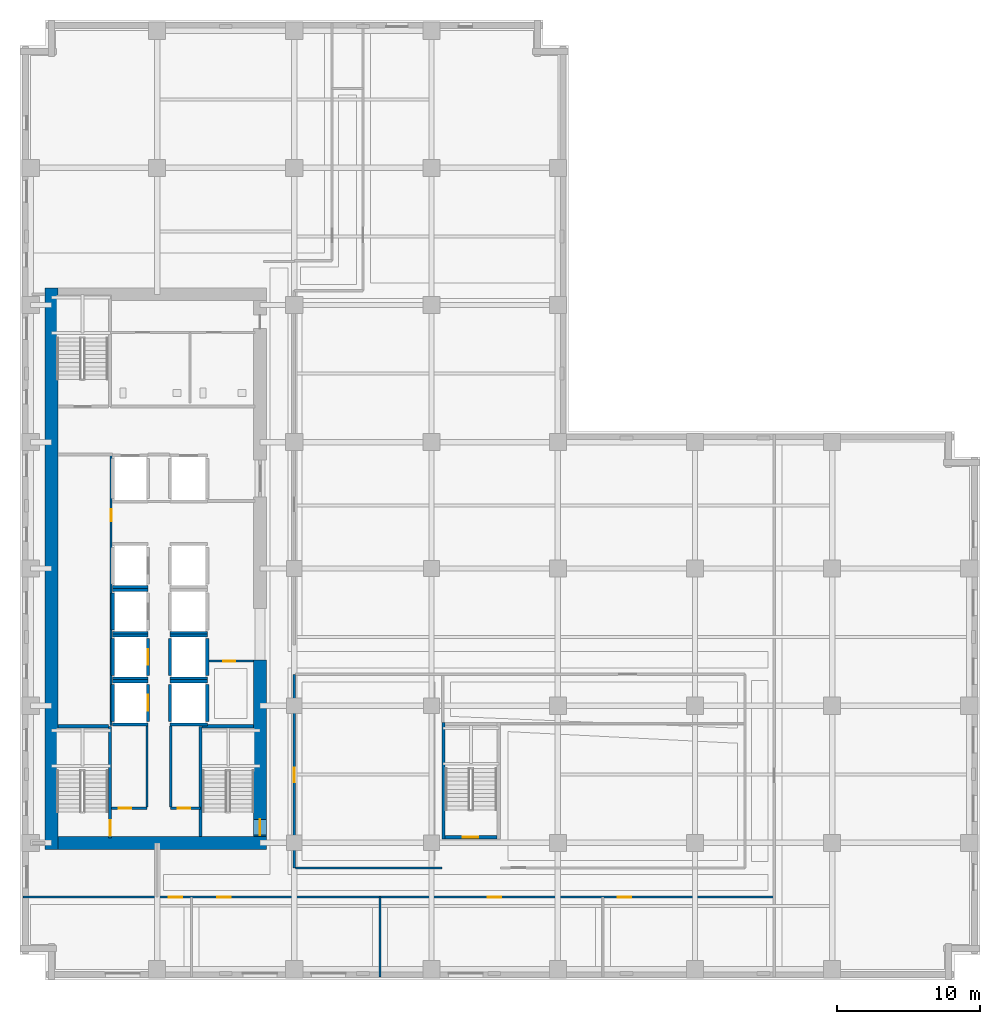
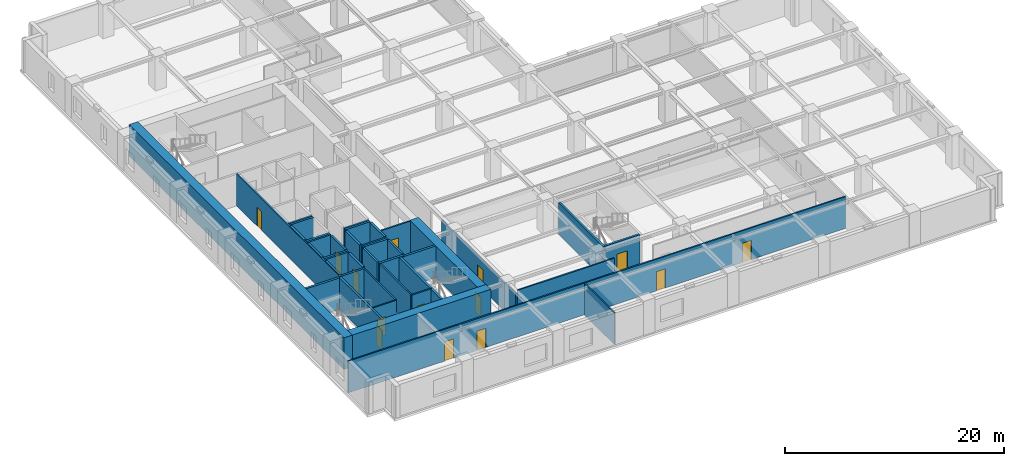
# One storey, part 4 of 13: 40 walls, 14 doors, 14 openings.
"""IFC4 building model written with IfcOpenShell, lengths in metres."""

import ifcopenshell
import ifcopenshell.guid

model = None  # the IFC model being written
_history = None  # IfcOwnerHistory: only IFC2X3 demands one
_inside = {}  # id of a spatial element -> (the spatial element, [elements in it])
_under = {}  # id of a project, library or spatial element -> (it, [spatial elements below it])
_declared = {}  # id of a project -> (the project, [libraries it declares])
_typed = {}  # id of a type object -> (the type object, [elements of that type])
_made_of = {}  # id of a material, layer set ... -> (it, [elements and type objects made of it])


def new_model(schema):
    """Start an empty IFC model of exactly this schema.

    Asked for "IFC4X3", IfcOpenShell would pick the latest addendum, in which some entities
    have other attributes; the version numbers below select the first issue.
    IFC2X3 requires an IfcOwnerHistory on every rooted entity: one is made here for all.
    """
    global model, _history
    if schema == "IFC4X3":
        model = ifcopenshell.file(schema_version=(4, 3, 0, 0))
    else:
        model = ifcopenshell.file(schema=schema)
    _inside.clear()
    _under.clear()
    _declared.clear()
    _typed.clear()
    _made_of.clear()
    _history = None
    if model.schema == "IFC2X3":
        org = make("IfcOrganization", Name="unknown")
        user = make(
            "IfcPersonAndOrganization",
            ThePerson=make("IfcPerson", FamilyName="unknown"),
            TheOrganization=org,
        )
        app = make(
            "IfcApplication",
            ApplicationDeveloper=org,
            Version="unknown",
            ApplicationFullName="unknown",
            ApplicationIdentifier="unknown",
        )
        _history = make(
            "IfcOwnerHistory",
            OwningUser=user,
            OwningApplication=app,
            ChangeAction="ADDED",
            CreationDate=0,
        )
    return model


def make(cls, **values):
    """One entity of the class cls with the attributes given. An attribute that is None is left unset."""
    return model.create_entity(
        cls, **{name: value for name, value in values.items() if value is not None}
    )


def rooted(cls, **values):
    """An entity with a GlobalId (a new one), such as an element, a storey or a relation."""
    return make(cls, GlobalId=ifcopenshell.guid.new(), OwnerHistory=_history, **values)


def si_unit(unit_type, name, prefix=None):
    """IfcSIUnit, for example si_unit("LENGTHUNIT", "METRE", prefix="MILLI")."""
    return make("IfcSIUnit", UnitType=unit_type, Prefix=prefix, Name=name)


def assignment(units):
    """IfcUnitAssignment: the units of a project."""
    return None if units is None else make("IfcUnitAssignment", Units=units)


def point(xyz):
    """IfcCartesianPoint."""
    return None if xyz is None else make("IfcCartesianPoint", Coordinates=xyz)


def direction(xyz):
    """IfcDirection."""
    return None if xyz is None else make("IfcDirection", DirectionRatios=xyz)


def frame(location, z_axis=None, x_axis=None):
    """IfcAxis2Placement3D, a coordinate frame: its origin and axes. An axis left out is left unset."""
    return make(
        "IfcAxis2Placement3D",
        Location=point(location),
        Axis=direction(z_axis),
        RefDirection=direction(x_axis),
    )


def frame_2d(location, x_axis=None):
    """IfcAxis2Placement2D, a coordinate frame in the plane: its origin and x axis."""
    return make(
        "IfcAxis2Placement2D", Location=point(location), RefDirection=direction(x_axis)
    )


def origin():
    """The frame at (0, 0, 0) with its axes left unset."""
    return frame((0.0, 0.0, 0.0))


def place(relative_to, where):
    """IfcLocalPlacement: puts the frame where relative to a parent placement (None: the world)."""
    return make(
        "IfcLocalPlacement", PlacementRelTo=relative_to, RelativePlacement=where
    )


def context(
    kind, dimensions, precision=None, world=None, true_north=None, identifier=None
):
    """IfcGeometricRepresentationContext, for example the 3D "Model" context."""
    return make(
        "IfcGeometricRepresentationContext",
        ContextIdentifier=identifier,
        ContextType=kind,
        CoordinateSpaceDimension=dimensions,
        Precision=precision,
        WorldCoordinateSystem=world,
        TrueNorth=true_north,
    )


def subcontext(parent, identifier, kind, view, scale=None):
    """IfcGeometricRepresentationSubContext, for example "Body" below "Model"."""
    return make(
        "IfcGeometricRepresentationSubContext",
        ContextIdentifier=identifier,
        ContextType=kind,
        ParentContext=parent,
        TargetScale=scale,
        TargetView=view,
    )


def project(units=None, contexts=None):
    """IfcProject with its units and contexts."""
    return rooted(
        "IfcProject",
        Name="project",
        RepresentationContexts=contexts,
        UnitsInContext=assignment(units),
    )


def spatial(cls, under=None, at=None, **own):
    """A site, building, storey or space (cls), placed at a placement, below another one or the project."""
    s = rooted(cls, ObjectPlacement=at, **own)
    if under is not None:
        _under.setdefault(under.id(), (under, []))[1].append(s)
    return s


def profile(cls, at=None, kind="AREA", **sizes):
    """A parametric profile (cls). Its sizes go by their IFC names, for example OverallWidth=200.0."""
    return make(cls, ProfileType=kind, Position=at, **sizes)


def rectangle(**sizes):
    """IfcRectangleProfileDef."""
    return profile("IfcRectangleProfileDef", **sizes)


def extrude(swept, where, along, depth):
    """IfcExtrudedAreaSolid: the profile swept, set in the frame where, extruded along a direction by depth."""
    return make(
        "IfcExtrudedAreaSolid",
        SweptArea=swept,
        Position=where,
        ExtrudedDirection=direction(along),
        Depth=depth,
    )


def shape(context_of_items, identifier, shape_type, items):
    """IfcShapeRepresentation: the items that make up one representation, for example the "Body"."""
    return make(
        "IfcShapeRepresentation",
        ContextOfItems=context_of_items,
        RepresentationIdentifier=identifier,
        RepresentationType=shape_type,
        Items=items,
    )


def material(Name=None, Category=None):
    """IfcMaterial."""
    return make("IfcMaterial", Name=Name, Category=Category)


def layer(
    of_material, thickness, ventilated=None, Name=None, Category=None, Priority=None
):
    """IfcMaterialLayer: one layer of a wall or slab, of a material (None: an air gap)."""
    return make(
        "IfcMaterialLayer",
        Material=of_material,
        LayerThickness=thickness,
        IsVentilated=ventilated,
        Name=Name,
        Category=Category,
        Priority=Priority,
    )


def layer_set(layers, Name=None):
    """IfcMaterialLayerSet."""
    return make("IfcMaterialLayerSet", MaterialLayers=layers, LayerSetName=Name)


def made_of(thing, what):
    """Note that an element or type object is made of a material, layer set ...; save() writes the relation."""
    if what is not None:
        _made_of.setdefault(what.id(), (what, []))[1].append(thing)
    return thing


def type_object(cls, material=None, **own):
    """A type object (cls), such as IfcWallType, which elements share."""
    return made_of(rooted(cls, **own), material)


def element(
    cls,
    number,
    at=None,
    inside=None,
    cuts=None,
    type_object=None,
    material=None,
    context=None,
    identifier="Body",
    shape_type=None,
    held_by="IfcProductDefinitionShape",
    body=None,
    shapes=None,
    **own,
):
    """One element of the class cls, such as IfcWall. Its Tag is "e" and its number.

    at: its placement. inside: the storey or other place that contains it. cuts: it is an
    opening in that element (IfcRelVoidsElement). A single representation is given by context,
    identifier, shape_type and body (its items); several are given by shapes. held_by: the class
    of the entity that holds the representations. save() writes the other relations.
    """
    e = rooted(cls, Tag="e%d" % number, ObjectPlacement=at, **own)
    if body is not None:
        shapes = [shape(context, identifier, shape_type, body)]
    if shapes is not None:
        e.Representation = make(held_by, Representations=shapes)
    if inside is not None:
        _inside.setdefault(inside.id(), (inside, []))[1].append(e)
    if cuts is not None:
        rooted(
            "IfcRelVoidsElement", RelatingBuildingElement=cuts, RelatedOpeningElement=e
        )
    if type_object is not None:
        _typed.setdefault(type_object.id(), (type_object, []))[1].append(e)
    return made_of(e, material)


def fill(opening, filler):
    """IfcRelFillsElement: the door or window that sits in an opening."""
    return rooted(
        "IfcRelFillsElement",
        RelatingOpeningElement=opening,
        RelatedBuildingElement=filler,
    )


def aggregate(whole, parts):
    """IfcRelAggregates: a whole, such as a stair, and the parts it consists of."""
    return rooted("IfcRelAggregates", RelatingObject=whole, RelatedObjects=parts)


def save(model, path):
    """Write the relations noted so far, then the file.

    IfcRelAggregates (storeys below a building ...), IfcRelContainedInSpatialStructure (elements
    in a storey), IfcRelDefinesByType, IfcRelAssociatesMaterial and IfcRelDeclares: one each for
    every whole, place, type object, material and project.
    """
    for whole, parts in _under.values():
        aggregate(whole, parts)
    for where, things in _inside.values():
        rooted(
            "IfcRelContainedInSpatialStructure",
            RelatedElements=things,
            RelatingStructure=where,
        )
    for kind, things in _typed.values():
        rooted("IfcRelDefinesByType", RelatedObjects=things, RelatingType=kind)
    for what, things in _made_of.values():
        rooted("IfcRelAssociatesMaterial", RelatedObjects=things, RelatingMaterial=what)
    for by, libraries in _declared.values():
        rooted("IfcRelDeclares", RelatingContext=by, RelatedDefinitions=libraries)
    model.write(path)


model = new_model("IFC4")

# Units and contexts
model_context = context("Model", 3, precision=1e-05, world=origin(), true_north=direction((0.0, 1.0)))
body_context = subcontext(model_context, "Body", "Model", "MODEL_VIEW")
ifc_project = project(units=[si_unit("LENGTHUNIT", "METRE"), si_unit("AREAUNIT", "SQUARE_METRE"), si_unit("VOLUMEUNIT", "CUBIC_METRE"), si_unit("PLANEANGLEUNIT", "RADIAN"), si_unit("MASSUNIT", "GRAM", prefix="KILO")], contexts=[model_context])

# Site, building, storey
site_placement = place(None, origin())
site = spatial("IfcSite", under=ifc_project, at=site_placement, CompositionType="ELEMENT")
building_placement = place(site_placement, origin())
building = spatial("IfcBuilding", under=site, at=building_placement, Name="Norrvale University Quadrangle", CompositionType="ELEMENT")
storey_placement = place(building_placement, frame((0.0, 0.0, 43.199951171875)))
storey = spatial("IfcBuildingStorey", under=building, at=storey_placement, Name="L10", CompositionType="ELEMENT", Elevation=43.199951171875)

# Walls
ifc_material_1 = material(Name="Concrete C80/95", Category="concrete")
ifc_layer_1 = layer(ifc_material_1, 0.89990234375, Name="Concrete C80/95")
ifc_layer_set_1 = layer_set([ifc_layer_1], Name="Concrete C80/95")
wall_type_1 = type_object("IfcWallType", Name="Wall Core 900", PredefinedType="SHEAR", material=ifc_layer_set_1)
wall_1_placement = place(storey_placement, frame((2.64990234375, 9.60009765625, 0.0), z_axis=(0.0, 0.0, 1.0), x_axis=(1.0, 0.0, 0.0)))
element("IfcWall", 1, at=wall_1_placement, inside=storey, type_object=wall_type_1, Name="Tower Core Shear Wall L10-S", PredefinedType="SHEAR", context=body_context, shape_type="SweptSolid", body=[
    extrude(rectangle(XDim=14.60009765625, YDim=0.89990234375, at=frame_2d((7.300048828125, 0.0))), origin(), (0.0, 0.0, 1.0), 3.5400390625),
])
wall_2_placement = place(storey_placement, frame((2.199951171875, 9.14990234375, 0.0), z_axis=(0.0, 0.0, 1.0), x_axis=(0.0, 1.0, 0.0)))
element("IfcWall", 2, at=wall_2_placement, inside=storey, type_object=wall_type_1, Name="Tower Core Shear Wall L10-W", PredefinedType="SHEAR", context=body_context, shape_type="SweptSolid", body=[
    extrude(rectangle(XDim=39.300048828125, YDim=0.89990234375, at=frame_2d((19.64990234375, 0.0))), origin(), (0.0, 0.0, 1.0), 3.5400390625),
])

# Wall, opening, door
wall_3_placement = place(storey_placement, frame((16.800048828125, 10.050048828125, 0.0), z_axis=(0.0, 0.0, 1.0), x_axis=(0.0, 1.0, 0.0)))
wall_3 = element("IfcWall", 3, at=wall_3_placement, inside=storey, type_object=wall_type_1, Name="Tower Core Shear Wall L10-E1", PredefinedType="SHEAR", context=body_context, shape_type="SweptSolid", body=[
    extrude(rectangle(XDim=12.349853515625, YDim=0.89990234375, at=frame_2d((6.1748046875, 0.0))), origin(), (0.0, 0.0, 1.0), 3.5400390625),
])
opening_1_placement = place(wall_3_placement, frame((0.090087890625, 0.0, 0.0)))
opening_1 = element("IfcOpeningElement", 4, at=opening_1_placement, cuts=wall_3, Name="Opening D02", PredefinedType="OPENING", context=body_context, shape_type="SweptSolid", body=[
    extrude(rectangle(XDim=1.10009765625, YDim=2.199951171875, at=frame_2d((0.550048828125, 1.10009765625))), frame((0.0, 0.4619140625, 0.0), z_axis=(0.0, -1.0, 0.0), x_axis=(1.0, 0.0, 0.0)), (0.0, 0.0, 1.0), 0.923828125),
])
ifc_material_2 = material(Name="Hollow Steel 350W Fire Door", Category="steel")
door_type_1 = type_object("IfcDoorType", Name="Door Stair Exit 1100x2200", OperationType="NOTDEFINED", PredefinedType="DOOR", material=ifc_material_2)
door_1_placement = place(opening_1_placement, origin())
door_1 = element("IfcDoor", 5, at=door_1_placement, inside=storey, type_object=door_type_1, Name="Door Stair Exit 1100x2200 DR-L10-ST03", OperationType="SINGLE_SWING_LEFT", OverallHeight=2.199951171875, OverallWidth=1.10009765625, PredefinedType="DOOR", context=body_context, shape_type="SweptSolid", body=[
    extrude(rectangle(XDim=1.10009765625, YDim=2.199951171875, at=frame_2d((0.550048828125, 1.10009765625))), frame((0.0, 0.02490234375, 0.0), z_axis=(0.0, -1.0, 0.0), x_axis=(1.0, 0.0, 0.0)), (0.0, 0.0, 1.0), 0.050048828125),
])
fill(opening_1, door_1)

# Wall
ifc_material_3 = material(Name="Standard Academic Gypsum Partition")
ifc_layer_2 = layer(ifc_material_3, 0.125, Name="Standard Academic Gypsum Partition")
ifc_layer_set_2 = layer_set([ifc_layer_2], Name="Standard Academic Gypsum Partition")
wall_type_2 = type_object("IfcWallType", Name="Wall Gypsum Academic 125", PredefinedType="PARTITIONING", material=ifc_layer_set_2)
wall_4_placement = place(storey_placement, frame((25.199951171875, 0.219970703125, 0.0), z_axis=(0.0, 0.0, 1.0), x_axis=(0.0, 1.0, 0.0)))
element("IfcWall", 6, at=wall_4_placement, inside=storey, type_object=wall_type_2, Name="Interior Partition WL-L10-SP02", PredefinedType="PARTITIONING", context=body_context, shape_type="SweptSolid", body=[
    extrude(rectangle(XDim=5.580078125, YDim=0.125, at=frame_2d((2.7900390625, 0.0))), origin(), (0.0, 0.0, 1.0), 3.5400390625),
])

# Wall, opening, door
ifc_material_4 = material(Name="Fire-Rated Gypsum Stud Partition")
ifc_layer_3 = layer(ifc_material_4, 0.14990234375, Name="Fire-Rated Gypsum Stud Partition")
ifc_layer_set_3 = layer_set([ifc_layer_3], Name="Fire-Rated Gypsum Stud Partition")
wall_type_3 = type_object("IfcWallType", Name="Wall Gypsum Corridor 150", PredefinedType="PARTITIONING", material=ifc_layer_set_3)
wall_5_placement = place(storey_placement, frame((6.419921875, 12.02001953125, 0.0), z_axis=(0.0, 0.0, 1.0), x_axis=(1.0, 0.0, 0.0)))
wall_5 = element("IfcWall", 7, at=wall_5_placement, inside=storey, type_object=wall_type_3, Name="Interior Partition WL-L10-SC-NL", PredefinedType="PARTITIONING", context=body_context, shape_type="SweptSolid", body=[
    extrude(rectangle(XDim=2.47998046875, YDim=0.14990234375, at=frame_2d((1.239990234375, 0.0))), origin(), (0.0, 0.0, 1.0), 3.5400390625),
])
opening_2_placement = place(wall_5_placement, frame((0.5, 0.0, 0.0)))
opening_2 = element("IfcOpeningElement", 8, at=opening_2_placement, cuts=wall_5, Name="Opening D10", PredefinedType="OPENING", context=body_context, shape_type="SweptSolid", body=[
    extrude(rectangle(XDim=0.85009765625, YDim=2.10009765625, at=frame_2d((0.425048828125, 1.050048828125))), frame((0.0, 0.0869140625, 0.0), z_axis=(0.0, -1.0, 0.0), x_axis=(1.0, 0.0, 0.0)), (0.0, 0.0, 1.0), 0.173828125),
])
ifc_material_5 = material(Name="Hollow Steel 350W Riser Fire Door", Category="steel")
door_type_2 = type_object("IfcDoorType", Name="Door Riser 850x2100", OperationType="NOTDEFINED", PredefinedType="DOOR", material=ifc_material_5)
door_2_placement = place(opening_2_placement, origin())
door_2 = element("IfcDoor", 9, at=door_2_placement, inside=storey, type_object=door_type_2, Name="Door Riser 850x2100 DR-L10-ELEC", OperationType="SINGLE_SWING_LEFT", OverallHeight=2.10009765625, OverallWidth=0.85009765625, PredefinedType="DOOR", context=body_context, shape_type="SweptSolid", body=[
    extrude(rectangle(XDim=0.85009765625, YDim=2.10009765625, at=frame_2d((0.425048828125, 1.050048828125))), frame((0.0, 0.02490234375, 0.0), z_axis=(0.0, -1.0, 0.0), x_axis=(1.0, 0.0, 0.0)), (0.0, 0.0, 1.0), 0.050048828125),
])
fill(opening_2, door_2)

wall_6_placement = place(storey_placement, frame((10.550048828125, 12.02001953125, 0.0), z_axis=(0.0, 0.0, 1.0), x_axis=(1.0, 0.0, 0.0)))
wall_6 = element("IfcWall", 10, at=wall_6_placement, inside=storey, type_object=wall_type_3, Name="Interior Partition WL-L10-SC-NR", PredefinedType="PARTITIONING", context=body_context, shape_type="SweptSolid", body=[
    extrude(rectangle(XDim=2.079833984375, YDim=0.14990234375, at=frame_2d((1.0400390625, 0.0))), origin(), (0.0, 0.0, 1.0), 3.5400390625),
])
opening_3_placement = place(wall_6_placement, frame((0.5, 0.0, 0.0)))
opening_3 = element("IfcOpeningElement", 11, at=opening_3_placement, cuts=wall_6, Name="Opening D10", PredefinedType="OPENING", context=body_context, shape_type="SweptSolid", body=[
    extrude(rectangle(XDim=0.85009765625, YDim=2.10009765625, at=frame_2d((0.425048828125, 1.050048828125))), frame((0.0, 0.0869140625, 0.0), z_axis=(0.0, -1.0, 0.0), x_axis=(1.0, 0.0, 0.0)), (0.0, 0.0, 1.0), 0.173828125),
])
door_3_placement = place(opening_3_placement, origin())
door_3 = element("IfcDoor", 12, at=door_3_placement, inside=storey, type_object=door_type_2, Name="Door Riser 850x2100 DR-L10-IDF", OperationType="SINGLE_SWING_RIGHT", OverallHeight=2.10009765625, OverallWidth=0.85009765625, PredefinedType="DOOR", context=body_context, shape_type="SweptSolid", body=[
    extrude(rectangle(XDim=0.85009765625, YDim=2.10009765625, at=frame_2d((0.425048828125, 1.050048828125))), frame((0.0, 0.02490234375, 0.0), z_axis=(0.0, -1.0, 0.0), x_axis=(1.0, 0.0, 0.0)), (0.0, 0.0, 1.0), 0.050048828125),
])
fill(opening_3, door_3)

# Walls
for number, where, z_axis, x_axis, name in (
    (13, (8.89990234375, 12.094970703125, 0.0), (0.0, 0.0, 1.0), (0.0, 1.0, 0.0), "Interior Partition WL-L10-SC-WL"),
    (14, (10.550048828125, 12.094970703125, 0.0), (0.0, 0.0, 1.0), (0.0, 1.0, 0.0), "Interior Partition WL-L10-SC-WR"),
):
    element("IfcWall", number, at=place(storey_placement, frame(where, z_axis=z_axis, x_axis=x_axis)), inside=storey, type_object=wall_type_3, Name=name, PredefinedType="PARTITIONING", context=body_context, shape_type="SweptSolid", body=[
        extrude(rectangle(XDim=5.679931640625, YDim=0.14990234375, at=frame_2d((2.83984375, 0.0))), origin(), (0.0, 0.0, 1.0), 3.5400390625),
    ])

# Wall, opening, door
wall_7_placement = place(storey_placement, frame((13.22509765625, 22.320068359375, 0.0), z_axis=(0.0, 0.0, 1.0), x_axis=(1.0, 0.0, 0.0)))
wall_7 = element("IfcWall", 15, at=wall_7_placement, inside=storey, type_object=wall_type_3, Name="Interior Partition WL-L10-JAN-N", PredefinedType="PARTITIONING", context=body_context, shape_type="SweptSolid", body=[
    extrude(rectangle(XDim=3.119873046875, YDim=0.14990234375, at=frame_2d((1.56005859375, 0.0))), origin(), (0.0, 0.0, 1.0), 3.5400390625),
])
opening_4_placement = place(wall_7_placement, frame((1.0, 0.0, 0.0)))
opening_4 = element("IfcOpeningElement", 16, at=opening_4_placement, cuts=wall_7, Name="Opening D10", PredefinedType="OPENING", context=body_context, shape_type="SweptSolid", body=[
    extrude(rectangle(XDim=0.85009765625, YDim=2.10009765625, at=frame_2d((0.425048828125, 1.050048828125))), frame((0.0, 0.0869140625, 0.0), z_axis=(0.0, -1.0, 0.0), x_axis=(1.0, 0.0, 0.0)), (0.0, 0.0, 1.0), 0.173828125),
])
door_4_placement = place(opening_4_placement, origin())
door_4 = element("IfcDoor", 17, at=door_4_placement, inside=storey, type_object=door_type_2, Name="Door Riser 850x2100 DR-L10-JAN", OperationType="SINGLE_SWING_LEFT", OverallHeight=2.10009765625, OverallWidth=0.85009765625, PredefinedType="DOOR", context=body_context, shape_type="SweptSolid", body=[
    extrude(rectangle(XDim=0.85009765625, YDim=2.10009765625, at=frame_2d((0.425048828125, 1.050048828125))), frame((0.0, 0.02490234375, 0.0), z_axis=(0.0, -1.0, 0.0), x_axis=(1.0, 0.0, 0.0)), (0.0, 0.0, 1.0), 0.050048828125),
])
fill(opening_4, door_4)

wall_8_placement = place(storey_placement, frame((6.3798828125, 17.800048828125, 0.0), z_axis=(0.0, 0.0, 1.0), x_axis=(0.0, 1.0, 0.0)))
wall_8 = element("IfcWall", 18, at=wall_8_placement, inside=storey, type_object=wall_type_3, Name="Interior Partition WL-L10-WME-E", PredefinedType="PARTITIONING", context=body_context, shape_type="SweptSolid", body=[
    extrude(rectangle(XDim=18.97998046875, YDim=0.14990234375, at=frame_2d((9.489990234375, 0.0))), origin(), (0.0, 0.0, 1.0), 3.5400390625),
])
opening_5_placement = place(wall_8_placement, frame((14.300048828125, 0.0, 0.0)))
opening_5 = element("IfcOpeningElement", 19, at=opening_5_placement, cuts=wall_8, Name="Opening D10", PredefinedType="OPENING", context=body_context, shape_type="SweptSolid", body=[
    extrude(rectangle(XDim=0.85009765625, YDim=2.10009765625, at=frame_2d((0.425048828125, 1.050048828125))), frame((0.0, 0.0869140625, 0.0), z_axis=(0.0, -1.0, 0.0), x_axis=(1.0, 0.0, 0.0)), (0.0, 0.0, 1.0), 0.173828125),
])
door_5_placement = place(opening_5_placement, origin())
door_5 = element("IfcDoor", 20, at=door_5_placement, inside=storey, type_object=door_type_2, Name="Door Riser 850x2100 DR-L10-WME", OperationType="SINGLE_SWING_LEFT", OverallHeight=2.10009765625, OverallWidth=0.85009765625, PredefinedType="DOOR", context=body_context, shape_type="SweptSolid", body=[
    extrude(rectangle(XDim=0.85009765625, YDim=2.10009765625, at=frame_2d((0.425048828125, 1.050048828125))), frame((0.0, 0.02490234375, 0.0), z_axis=(0.0, -1.0, 0.0), x_axis=(1.0, 0.0, 0.0)), (0.0, 0.0, 1.0), 0.050048828125),
])
fill(opening_5, door_5)

# Wall, openings, doors
wall_9_placement = place(storey_placement, frame((0.219970703125, 5.800048828125, 0.0), z_axis=(0.0, 0.0, 1.0), x_axis=(1.0, 0.0, 0.0)))
wall_9 = element("IfcWall", 21, at=wall_9_placement, inside=storey, type_object=wall_type_3, Name="Interior Partition WL-L10-SCW", PredefinedType="PARTITIONING", context=body_context, shape_type="SweptSolid", body=[
    extrude(rectangle(XDim=52.580078125, YDim=0.14990234375, at=frame_2d((26.2900390625, 0.0))), origin(), (0.0, 0.0, 1.0), 3.5400390625),
])
opening_6_placement = place(wall_9_placement, frame((10.179931640625, 0.0, 0.0)))
opening_6 = element("IfcOpeningElement", 22, at=opening_6_placement, cuts=wall_9, Name="Opening D07", PredefinedType="OPENING", context=body_context, shape_type="SweptSolid", body=[
    extrude(rectangle(XDim=0.949951171875, YDim=2.14990234375, at=frame_2d((0.47509765625, 1.074951171875))), frame((0.0, 0.0869140625, 0.0), z_axis=(0.0, -1.0, 0.0), x_axis=(1.0, 0.0, 0.0)), (0.0, 0.0, 1.0), 0.173828125),
])
opening_7_placement = place(wall_9_placement, frame((13.580078125, 0.0, 0.0)))
opening_7 = element("IfcOpeningElement", 23, at=opening_7_placement, cuts=wall_9, Name="Opening D07", PredefinedType="OPENING", context=body_context, shape_type="SweptSolid", body=[
    extrude(rectangle(XDim=0.949951171875, YDim=2.14990234375, at=frame_2d((0.47509765625, 1.074951171875))), frame((0.0, 0.0869140625, 0.0), z_axis=(0.0, -1.0, 0.0), x_axis=(1.0, 0.0, 0.0)), (0.0, 0.0, 1.0), 0.173828125),
])
opening_8_placement = place(wall_9_placement, frame((32.530029296875, 0.0, 0.0)))
opening_8 = element("IfcOpeningElement", 24, at=opening_8_placement, cuts=wall_9, Name="Opening D07", PredefinedType="OPENING", context=body_context, shape_type="SweptSolid", body=[
    extrude(rectangle(XDim=0.949951171875, YDim=2.14990234375, at=frame_2d((0.47509765625, 1.074951171875))), frame((0.0, 0.0869140625, 0.0), z_axis=(0.0, -1.0, 0.0), x_axis=(1.0, 0.0, 0.0)), (0.0, 0.0, 1.0), 0.173828125),
])
opening_9_placement = place(wall_9_placement, frame((41.6298828125, 0.0, 0.0)))
opening_9 = element("IfcOpeningElement", 25, at=opening_9_placement, cuts=wall_9, Name="Opening D07", PredefinedType="OPENING", context=body_context, shape_type="SweptSolid", body=[
    extrude(rectangle(XDim=0.949951171875, YDim=2.14990234375, at=frame_2d((0.47509765625, 1.074951171875))), frame((0.0, 0.0869140625, 0.0), z_axis=(0.0, -1.0, 0.0), x_axis=(1.0, 0.0, 0.0)), (0.0, 0.0, 1.0), 0.173828125),
])
ifc_material_6 = material(Name="Solid-Core Maple Door", Category="wood")
door_type_3 = type_object("IfcDoorType", Name="Door Office 950x2150", OperationType="NOTDEFINED", PredefinedType="DOOR", material=ifc_material_6)
door_6_placement = place(opening_6_placement, origin())
door_6 = element("IfcDoor", 26, at=door_6_placement, inside=storey, type_object=door_type_3, Name="Door Office 950x2150 DR-L10-S01", OperationType="SINGLE_SWING_LEFT", OverallHeight=2.14990234375, OverallWidth=0.949951171875, PredefinedType="DOOR", context=body_context, shape_type="SweptSolid", body=[
    extrude(rectangle(XDim=0.949951171875, YDim=2.14990234375, at=frame_2d((0.47509765625, 1.074951171875))), frame((0.0, 0.02490234375, 0.0), z_axis=(0.0, -1.0, 0.0), x_axis=(1.0, 0.0, 0.0)), (0.0, 0.0, 1.0), 0.050048828125),
])
fill(opening_6, door_6)
door_7_placement = place(opening_7_placement, origin())
door_7 = element("IfcDoor", 27, at=door_7_placement, inside=storey, type_object=door_type_3, Name="Door Office 950x2150 DR-L10-S02", OperationType="SINGLE_SWING_RIGHT", OverallHeight=2.14990234375, OverallWidth=0.949951171875, PredefinedType="DOOR", context=body_context, shape_type="SweptSolid", body=[
    extrude(rectangle(XDim=0.949951171875, YDim=2.14990234375, at=frame_2d((0.47509765625, 1.074951171875))), frame((0.0, 0.02490234375, 0.0), z_axis=(0.0, -1.0, 0.0), x_axis=(1.0, 0.0, 0.0)), (0.0, 0.0, 1.0), 0.050048828125),
])
fill(opening_7, door_7)
door_8_placement = place(opening_8_placement, origin())
door_8 = element("IfcDoor", 28, at=door_8_placement, inside=storey, type_object=door_type_3, Name="Door Office 950x2150 DR-L10-S03", OperationType="SINGLE_SWING_LEFT", OverallHeight=2.14990234375, OverallWidth=0.949951171875, PredefinedType="DOOR", context=body_context, shape_type="SweptSolid", body=[
    extrude(rectangle(XDim=0.949951171875, YDim=2.14990234375, at=frame_2d((0.47509765625, 1.074951171875))), frame((0.0, 0.02490234375, 0.0), z_axis=(0.0, -1.0, 0.0), x_axis=(1.0, 0.0, 0.0)), (0.0, 0.0, 1.0), 0.050048828125),
])
fill(opening_8, door_8)
door_9_placement = place(opening_9_placement, origin())
door_9 = element("IfcDoor", 29, at=door_9_placement, inside=storey, type_object=door_type_3, Name="Door Office 950x2150 DR-L10-S04", OperationType="SINGLE_SWING_RIGHT", OverallHeight=2.14990234375, OverallWidth=0.949951171875, PredefinedType="DOOR", context=body_context, shape_type="SweptSolid", body=[
    extrude(rectangle(XDim=0.949951171875, YDim=2.14990234375, at=frame_2d((0.47509765625, 1.074951171875))), frame((0.0, 0.02490234375, 0.0), z_axis=(0.0, -1.0, 0.0), x_axis=(1.0, 0.0, 0.0)), (0.0, 0.0, 1.0), 0.050048828125),
])
fill(opening_9, door_9)

# Wall, opening, door
wall_10_placement = place(storey_placement, frame((19.199951171875, 7.85009765625, 0.0), z_axis=(0.0, 0.0, 1.0), x_axis=(0.0, 1.0, 0.0)))
wall_10 = element("IfcWall", 30, at=wall_10_placement, inside=storey, type_object=wall_type_3, Name="Interior Partition WL-L10-ISLW", PredefinedType="PARTITIONING", context=body_context, shape_type="SweptSolid", body=[
    extrude(rectangle(XDim=13.5498046875, YDim=0.14990234375, at=frame_2d((6.77490234375, 0.0))), origin(), (0.0, 0.0, 1.0), 3.18408203125),
])
opening_10_placement = place(wall_10_placement, frame((6.0, 0.0, 0.0)))
opening_10 = element("IfcOpeningElement", 31, at=opening_10_placement, cuts=wall_10, Name="Opening D04", PredefinedType="OPENING", context=body_context, shape_type="SweptSolid", body=[
    extrude(rectangle(XDim=1.0, YDim=2.199951171875, at=frame_2d((0.5, 1.10009765625))), frame((0.0, 0.0869140625, 0.0), z_axis=(0.0, -1.0, 0.0), x_axis=(1.0, 0.0, 0.0)), (0.0, 0.0, 1.0), 0.173828125),
])
ifc_material_7 = material(Name="Solid-Core Oak Fire Door", Category="wood")
door_type_4 = type_object("IfcDoorType", Name="Door Corridor 1000x2200", OperationType="NOTDEFINED", PredefinedType="DOOR", material=ifc_material_7)
door_10_placement = place(opening_10_placement, origin())
door_10 = element("IfcDoor", 32, at=door_10_placement, inside=storey, type_object=door_type_4, Name="Door Corridor 1000x2200 DR-L10-IW1", OperationType="SINGLE_SWING_LEFT", OverallHeight=2.199951171875, OverallWidth=1.0, PredefinedType="DOOR", context=body_context, shape_type="SweptSolid", body=[
    extrude(rectangle(XDim=1.0, YDim=2.199951171875, at=frame_2d((0.5, 1.10009765625))), frame((0.0, 0.02490234375, 0.0), z_axis=(0.0, -1.0, 0.0), x_axis=(1.0, 0.0, 0.0)), (0.0, 0.0, 1.0), 0.050048828125),
])
fill(opening_10, door_10)

# Wall
wall_11_placement = place(storey_placement, frame((19.280029296875, 7.85009765625, 0.0), z_axis=(0.0, 0.0, 1.0), x_axis=(1.0, 0.0, 0.0)))
element("IfcWall", 33, at=wall_11_placement, inside=storey, type_object=wall_type_3, Name="Interior Partition WL-L10-ISLS1", PredefinedType="PARTITIONING", context=body_context, shape_type="SweptSolid", body=[
    extrude(rectangle(XDim=10.244873046875, YDim=0.14990234375, at=frame_2d((5.12255859375, 0.0))), origin(), (0.0, 0.0, 1.0), 3.5400390625),
])

# Wall, opening, door
ifc_material_8 = material(Name="Concrete Blockwork 20 MPa Fire Shaft", Category="masonry")
ifc_layer_4 = layer(ifc_material_8, 0.219970703125, Name="Concrete Blockwork 20 MPa Fire Shaft")
ifc_layer_set_4 = layer_set([ifc_layer_4], Name="Concrete Blockwork 20 MPa Fire Shaft")
wall_type_4 = type_object("IfcWallType", Name="Wall Shaft 220", PredefinedType="SOLIDWALL", material=ifc_layer_set_4)
wall_12_placement = place(storey_placement, frame((6.31005859375, 9.949951171875, 0.0), z_axis=(0.0, 0.0, 1.0), x_axis=(0.0, 1.0, 0.0)))
wall_12 = element("IfcWall", 34, at=wall_12_placement, inside=storey, type_object=wall_type_4, Name="Stair ST-01 East Shaft Wall L10", PredefinedType="SOLIDWALL", context=body_context, shape_type="SweptSolid", body=[
    extrude(rectangle(XDim=7.81005859375, YDim=0.219970703125, at=frame_2d((3.905029296875, 0.0))), origin(), (0.0, 0.0, 1.0), 3.5400390625),
])
opening_11_placement = place(wall_12_placement, frame((0.139892578125, 0.0, 0.0)))
opening_11 = element("IfcOpeningElement", 35, at=opening_11_placement, cuts=wall_12, Name="Opening D02", PredefinedType="OPENING", context=body_context, shape_type="SweptSolid", body=[
    extrude(rectangle(XDim=1.10009765625, YDim=2.199951171875, at=frame_2d((0.550048828125, 1.10009765625))), frame((0.0, 0.1220703125, 0.0), z_axis=(0.0, -1.0, 0.0), x_axis=(1.0, 0.0, 0.0)), (0.0, 0.0, 1.0), 0.243896484375),
])
door_11_placement = place(opening_11_placement, origin())
door_11 = element("IfcDoor", 36, at=door_11_placement, inside=storey, type_object=door_type_1, Name="Door Stair Exit 1100x2200 DR-L10-ST01", OperationType="SINGLE_SWING_LEFT", OverallHeight=2.199951171875, OverallWidth=1.10009765625, PredefinedType="DOOR", context=body_context, shape_type="SweptSolid", body=[
    extrude(rectangle(XDim=1.10009765625, YDim=2.199951171875, at=frame_2d((0.550048828125, 1.10009765625))), frame((0.0, 0.02490234375, 0.0), z_axis=(0.0, -1.0, 0.0), x_axis=(1.0, 0.0, 0.0)), (0.0, 0.0, 1.0), 0.050048828125),
])
fill(opening_11, door_11)

# Walls
wall_13_placement = place(storey_placement, frame((2.64990234375, 17.760009765625, 0.0), z_axis=(0.0, 0.0, 1.0), x_axis=(1.0, 0.0, 0.0)))
element("IfcWall", 37, at=wall_13_placement, inside=storey, type_object=wall_type_4, Name="Stair ST-01 North Shaft Wall L10", PredefinedType="SOLIDWALL", context=body_context, shape_type="SweptSolid", body=[
    extrude(rectangle(XDim=3.550048828125, YDim=0.219970703125, at=frame_2d((1.77490234375, 0.0))), origin(), (0.0, 0.0, 1.0), 3.5400390625),
])
wall_14_placement = place(storey_placement, frame((12.639892578125, 10.050048828125, 0.0), z_axis=(0.0, 0.0, 1.0), x_axis=(0.0, 1.0, 0.0)))
element("IfcWall", 38, at=wall_14_placement, inside=storey, type_object=wall_type_4, Name="Stair ST-03 West Shaft Wall L10", PredefinedType="SOLIDWALL", context=body_context, shape_type="SweptSolid", body=[
    extrude(rectangle(XDim=7.7099609375, YDim=0.219970703125, at=frame_2d((3.85498046875, 0.0))), origin(), (0.0, 0.0, 1.0), 3.5400390625),
])
wall_15_placement = place(storey_placement, frame((12.75, 17.760009765625, 0.0), z_axis=(0.0, 0.0, 1.0), x_axis=(1.0, 0.0, 0.0)))
element("IfcWall", 39, at=wall_15_placement, inside=storey, type_object=wall_type_4, Name="Stair ST-03 North Shaft Wall L10", PredefinedType="SOLIDWALL", context=body_context, shape_type="SweptSolid", body=[
    extrude(rectangle(XDim=3.60009765625, YDim=0.219970703125, at=frame_2d((1.800048828125, 0.0))), origin(), (0.0, 0.0, 1.0), 3.5400390625),
])

# Wall, opening, door
wall_16_placement = place(storey_placement, frame((29.75, 9.989990234375, 0.0), z_axis=(0.0, 0.0, 1.0), x_axis=(1.0, 0.0, 0.0)))
wall_16 = element("IfcWall", 40, at=wall_16_placement, inside=storey, type_object=wall_type_4, Name="Stair ST-04 South Shaft Wall L10", PredefinedType="SOLIDWALL", context=body_context, shape_type="SweptSolid", body=[
    extrude(rectangle(XDim=3.64990234375, YDim=0.219970703125, at=frame_2d((1.824951171875, 0.0))), origin(), (0.0, 0.0, 1.0), 3.5400390625),
])
opening_12_placement = place(wall_16_placement, frame((1.239990234375, 0.0, 0.0)))
opening_12 = element("IfcOpeningElement", 41, at=opening_12_placement, cuts=wall_16, Name="Opening D02", PredefinedType="OPENING", context=body_context, shape_type="SweptSolid", body=[
    extrude(rectangle(XDim=1.10009765625, YDim=2.199951171875, at=frame_2d((0.550048828125, 1.10009765625))), frame((0.0, 0.1220703125, 0.0), z_axis=(0.0, -1.0, 0.0), x_axis=(1.0, 0.0, 0.0)), (0.0, 0.0, 1.0), 0.243896484375),
])
door_12_placement = place(opening_12_placement, origin())
door_12 = element("IfcDoor", 42, at=door_12_placement, inside=storey, type_object=door_type_1, Name="Door Stair Exit 1100x2200 DR-L10-ST04", OperationType="SINGLE_SWING_LEFT", OverallHeight=2.199951171875, OverallWidth=1.10009765625, PredefinedType="DOOR", context=body_context, shape_type="SweptSolid", body=[
    extrude(rectangle(XDim=1.10009765625, YDim=2.199951171875, at=frame_2d((0.550048828125, 1.10009765625))), frame((0.0, 0.02490234375, 0.0), z_axis=(0.0, -1.0, 0.0), x_axis=(1.0, 0.0, 0.0)), (0.0, 0.0, 1.0), 0.050048828125),
])
fill(opening_12, door_12)

# Walls
wall_17_placement = place(storey_placement, frame((29.639892578125, 9.8798828125, 0.0), z_axis=(0.0, 0.0, 1.0), x_axis=(0.0, 1.0, 0.0)))
element("IfcWall", 43, at=wall_17_placement, inside=storey, type_object=wall_type_4, Name="Stair ST-04 West Shaft Wall L10", PredefinedType="SOLIDWALL", context=body_context, shape_type="SweptSolid", body=[
    extrude(rectangle(XDim=8.14013671875, YDim=0.219970703125, at=frame_2d((4.070068359375, 0.0))), origin(), (0.0, 0.0, 1.0), 3.5400390625),
])
wall_18_placement = place(storey_placement, frame((6.489990234375, 18.110107421875, 0.0), z_axis=(0.0, 0.0, 1.0), x_axis=(0.0, 1.0, 0.0)))
element("IfcWall", 44, at=wall_18_placement, inside=storey, type_object=wall_type_4, Name="Hoistway PL-01 West Wall L10", PredefinedType="SOLIDWALL", context=body_context, shape_type="SweptSolid", body=[
    extrude(rectangle(XDim=2.579833984375, YDim=0.219970703125, at=frame_2d((1.2900390625, 0.0))), origin(), (0.0, 0.0, 1.0), 3.5400390625),
])

# Wall, opening, door
wall_19_placement = place(storey_placement, frame((8.9599609375, 18.110107421875, 0.0), z_axis=(0.0, 0.0, 1.0), x_axis=(0.0, 1.0, 0.0)))
wall_19 = element("IfcWall", 45, at=wall_19_placement, inside=storey, type_object=wall_type_4, Name="Hoistway PL-01 East Wall L10", PredefinedType="SOLIDWALL", context=body_context, shape_type="SweptSolid", body=[
    extrude(rectangle(XDim=2.579833984375, YDim=0.219970703125, at=frame_2d((1.2900390625, 0.0))), origin(), (0.0, 0.0, 1.0), 3.5400390625),
])
opening_13_placement = place(wall_19_placement, frame((0.739990234375, 0.0, 0.0)))
opening_13 = element("IfcOpeningElement", 46, at=opening_13_placement, cuts=wall_19, Name="Opening LD1", PredefinedType="OPENING", context=body_context, shape_type="SweptSolid", body=[
    extrude(rectangle(XDim=1.10009765625, YDim=2.199951171875, at=frame_2d((0.550048828125, 1.10009765625))), frame((0.0, 0.1220703125, 0.0), z_axis=(0.0, -1.0, 0.0), x_axis=(1.0, 0.0, 0.0)), (0.0, 0.0, 1.0), 0.243896484375),
])
ifc_material_9 = material(Name="Stainless Steel 316L Lift Landing Door", Category="steel")
door_type_5 = type_object("IfcDoorType", Name="Door Lift Landing 1100x2200", OperationType="DOUBLE_DOOR_SLIDING", PredefinedType="DOOR", material=ifc_material_9)
door_13_placement = place(opening_13_placement, origin())
door_13 = element("IfcDoor", 47, at=door_13_placement, inside=storey, type_object=door_type_5, Name="Elevator Landing Door DR-L10-PL-01", OperationType="DOUBLE_DOOR_SLIDING", OverallHeight=2.199951171875, OverallWidth=1.10009765625, PredefinedType="DOOR", context=body_context, shape_type="SweptSolid", body=[
    extrude(rectangle(XDim=1.10009765625, YDim=2.199951171875, at=frame_2d((0.550048828125, 1.10009765625))), frame((0.0, 0.02490234375, 0.0), z_axis=(0.0, -1.0, 0.0), x_axis=(1.0, 0.0, 0.0)), (0.0, 0.0, 1.0), 0.050048828125),
])
fill(opening_13, door_13)

# Walls
for number, where, z_axis, x_axis, name in (
    (48, (6.489990234375, 17.889892578125, 0.0), (0.0, 0.0, 1.0), (1.0, 0.0, 0.0), "Hoistway PL-01 South Wall L10"),
    (49, (6.489990234375, 20.909912109375, 0.0), (0.0, 0.0, 1.0), (1.0, 0.0, 0.0), "Hoistway PL-01 North Wall L10"),
):
    element("IfcWall", number, at=place(storey_placement, frame(where, z_axis=z_axis, x_axis=x_axis)), inside=storey, type_object=wall_type_4, Name=name, PredefinedType="SOLIDWALL", context=body_context, shape_type="SweptSolid", body=[
        extrude(rectangle(XDim=2.469970703125, YDim=0.219970703125, at=frame_2d((1.23486328125, 0.0))), origin(), (0.0, 0.0, 1.0), 3.5400390625),
    ])
wall_20_placement = place(storey_placement, frame((6.489990234375, 21.31005859375, 0.0), z_axis=(0.0, 0.0, 1.0), x_axis=(0.0, 1.0, 0.0)))
element("IfcWall", 50, at=wall_20_placement, inside=storey, type_object=wall_type_4, Name="Hoistway PL-02 West Wall L10", PredefinedType="SOLIDWALL", context=body_context, shape_type="SweptSolid", body=[
    extrude(rectangle(XDim=2.579833984375, YDim=0.219970703125, at=frame_2d((1.2900390625, 0.0))), origin(), (0.0, 0.0, 1.0), 3.5400390625),
])

# Wall, opening, door
wall_21_placement = place(storey_placement, frame((8.9599609375, 21.31005859375, 0.0), z_axis=(0.0, 0.0, 1.0), x_axis=(0.0, 1.0, 0.0)))
wall_21 = element("IfcWall", 51, at=wall_21_placement, inside=storey, type_object=wall_type_4, Name="Hoistway PL-02 East Wall L10", PredefinedType="SOLIDWALL", context=body_context, shape_type="SweptSolid", body=[
    extrude(rectangle(XDim=2.579833984375, YDim=0.219970703125, at=frame_2d((1.2900390625, 0.0))), origin(), (0.0, 0.0, 1.0), 3.5400390625),
])
opening_14_placement = place(wall_21_placement, frame((0.739990234375, 0.0, 0.0)))
opening_14 = element("IfcOpeningElement", 52, at=opening_14_placement, cuts=wall_21, Name="Opening LD1", PredefinedType="OPENING", context=body_context, shape_type="SweptSolid", body=[
    extrude(rectangle(XDim=1.10009765625, YDim=2.199951171875, at=frame_2d((0.550048828125, 1.10009765625))), frame((0.0, 0.1220703125, 0.0), z_axis=(0.0, -1.0, 0.0), x_axis=(1.0, 0.0, 0.0)), (0.0, 0.0, 1.0), 0.243896484375),
])
door_14_placement = place(opening_14_placement, origin())
door_14 = element("IfcDoor", 53, at=door_14_placement, inside=storey, type_object=door_type_5, Name="Elevator Landing Door DR-L10-PL-02", OperationType="DOUBLE_DOOR_SLIDING", OverallHeight=2.199951171875, OverallWidth=1.10009765625, PredefinedType="DOOR", context=body_context, shape_type="SweptSolid", body=[
    extrude(rectangle(XDim=1.10009765625, YDim=2.199951171875, at=frame_2d((0.550048828125, 1.10009765625))), frame((0.0, 0.02490234375, 0.0), z_axis=(0.0, -1.0, 0.0), x_axis=(1.0, 0.0, 0.0)), (0.0, 0.0, 1.0), 0.050048828125),
])
fill(opening_14, door_14)

# Walls
for number, where, z_axis, x_axis, name in (
    (54, (6.489990234375, 21.090087890625, 0.0), (0.0, 0.0, 1.0), (1.0, 0.0, 0.0), "Hoistway PL-02 South Wall L10"),
    (55, (6.489990234375, 24.110107421875, 0.0), (0.0, 0.0, 1.0), (1.0, 0.0, 0.0), "Hoistway PL-02 North Wall L10"),
):
    element("IfcWall", number, at=place(storey_placement, frame(where, z_axis=z_axis, x_axis=x_axis)), inside=storey, type_object=wall_type_4, Name=name, PredefinedType="SOLIDWALL", context=body_context, shape_type="SweptSolid", body=[
        extrude(rectangle(XDim=2.469970703125, YDim=0.219970703125, at=frame_2d((1.23486328125, 0.0))), origin(), (0.0, 0.0, 1.0), 3.5400390625),
    ])
wall_22_placement = place(storey_placement, frame((6.489990234375, 24.510009765625, 0.0), z_axis=(0.0, 0.0, 1.0), x_axis=(0.0, 1.0, 0.0)))
element("IfcWall", 56, at=wall_22_placement, inside=storey, type_object=wall_type_4, Name="Hoistway PL-03 West Wall L10", PredefinedType="SOLIDWALL", context=body_context, shape_type="SweptSolid", body=[
    extrude(rectangle(XDim=2.580078125, YDim=0.219970703125, at=frame_2d((1.2900390625, 0.0))), origin(), (0.0, 0.0, 1.0), 3.5400390625),
])
for number, where, z_axis, x_axis, name in (
    (57, (6.489990234375, 24.2900390625, 0.0), (0.0, 0.0, 1.0), (1.0, 0.0, 0.0), "Hoistway PL-03 South Wall L10"),
    (58, (6.489990234375, 27.31005859375, 0.0), (0.0, 0.0, 1.0), (1.0, 0.0, 0.0), "Hoistway PL-03 North Wall L10"),
    (59, (6.489990234375, 27.489990234375, 0.0), (0.0, 0.0, 1.0), (1.0, 0.0, 0.0), "Hoistway PL-04 South Wall L10"),
):
    element("IfcWall", number, at=place(storey_placement, frame(where, z_axis=z_axis, x_axis=x_axis)), inside=storey, type_object=wall_type_4, Name=name, PredefinedType="SOLIDWALL", context=body_context, shape_type="SweptSolid", body=[
        extrude(rectangle(XDim=2.469970703125, YDim=0.219970703125, at=frame_2d((1.23486328125, 0.0))), origin(), (0.0, 0.0, 1.0), 3.5400390625),
    ])
for number, where, z_axis, x_axis, name in (
    (60, (10.489990234375, 18.110107421875, 0.0), (0.0, 0.0, 1.0), (0.0, 1.0, 0.0), "Hoistway PL-05 West Wall L10"),
    (61, (13.110107421875, 18.110107421875, 0.0), (0.0, 0.0, 1.0), (0.0, 1.0, 0.0), "Hoistway PL-05 East Wall L10"),
):
    element("IfcWall", number, at=place(storey_placement, frame(where, z_axis=z_axis, x_axis=x_axis)), inside=storey, type_object=wall_type_4, Name=name, PredefinedType="SOLIDWALL", context=body_context, shape_type="SweptSolid", body=[
        extrude(rectangle(XDim=2.579833984375, YDim=0.219970703125, at=frame_2d((1.2900390625, 0.0))), origin(), (0.0, 0.0, 1.0), 3.5400390625),
    ])
for number, where, z_axis, x_axis, name in (
    (62, (10.489990234375, 17.889892578125, 0.0), (0.0, 0.0, 1.0), (1.0, 0.0, 0.0), "Hoistway PL-05 South Wall L10"),
    (63, (10.489990234375, 20.909912109375, 0.0), (0.0, 0.0, 1.0), (1.0, 0.0, 0.0), "Hoistway PL-05 North Wall L10"),
):
    element("IfcWall", number, at=place(storey_placement, frame(where, z_axis=z_axis, x_axis=x_axis)), inside=storey, type_object=wall_type_4, Name=name, PredefinedType="SOLIDWALL", context=body_context, shape_type="SweptSolid", body=[
        extrude(rectangle(XDim=2.6201171875, YDim=0.219970703125, at=frame_2d((1.31005859375, 0.0))), origin(), (0.0, 0.0, 1.0), 3.5400390625),
    ])
for number, where, z_axis, x_axis, name in (
    (64, (10.489990234375, 21.31005859375, 0.0), (0.0, 0.0, 1.0), (0.0, 1.0, 0.0), "Hoistway PL-06 West Wall L10"),
    (65, (13.110107421875, 21.31005859375, 0.0), (0.0, 0.0, 1.0), (0.0, 1.0, 0.0), "Hoistway PL-06 East Wall L10"),
):
    element("IfcWall", number, at=place(storey_placement, frame(where, z_axis=z_axis, x_axis=x_axis)), inside=storey, type_object=wall_type_4, Name=name, PredefinedType="SOLIDWALL", context=body_context, shape_type="SweptSolid", body=[
        extrude(rectangle(XDim=2.579833984375, YDim=0.219970703125, at=frame_2d((1.2900390625, 0.0))), origin(), (0.0, 0.0, 1.0), 3.5400390625),
    ])
for number, where, z_axis, x_axis, name in (
    (66, (10.489990234375, 21.090087890625, 0.0), (0.0, 0.0, 1.0), (1.0, 0.0, 0.0), "Hoistway PL-06 South Wall L10"),
    (67, (10.489990234375, 24.110107421875, 0.0), (0.0, 0.0, 1.0), (1.0, 0.0, 0.0), "Hoistway PL-06 North Wall L10"),
    (68, (10.489990234375, 24.2900390625, 0.0), (0.0, 0.0, 1.0), (1.0, 0.0, 0.0), "Hoistway PL-07 South Wall L10"),
):
    element("IfcWall", number, at=place(storey_placement, frame(where, z_axis=z_axis, x_axis=x_axis)), inside=storey, type_object=wall_type_4, Name=name, PredefinedType="SOLIDWALL", context=body_context, shape_type="SweptSolid", body=[
        extrude(rectangle(XDim=2.6201171875, YDim=0.219970703125, at=frame_2d((1.31005859375, 0.0))), origin(), (0.0, 0.0, 1.0), 3.5400390625),
    ])

save(model, "model.ifc")
